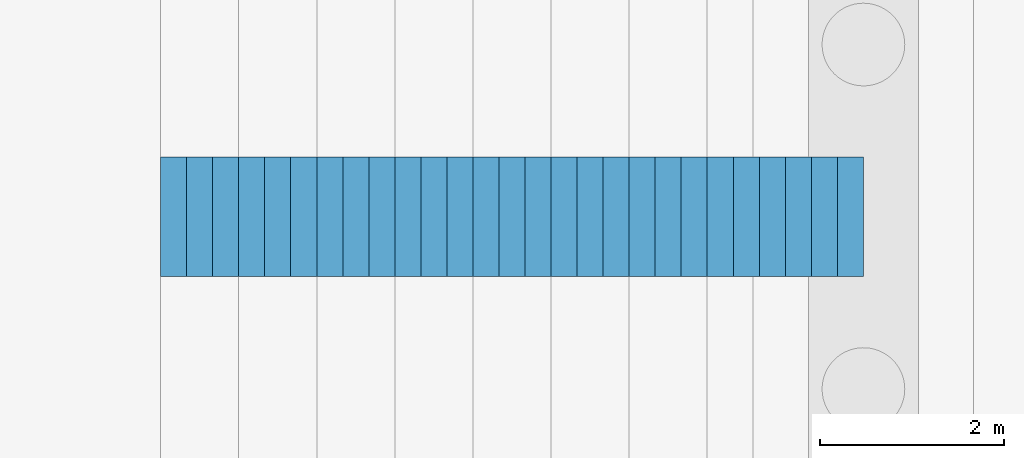
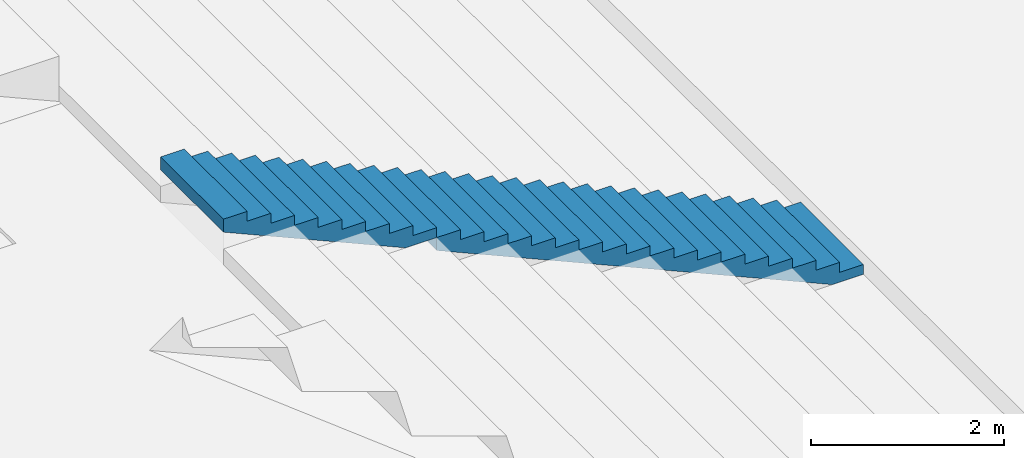
# One storey, part 64 of 115: 2 stair flights, 1 element without a shape of its own.
"""IFC4 building model written with IfcOpenShell, lengths in metres."""

from ifc_helpers import new_model, si_unit, direction, frame, origin, place, context, subcontext, project, spatial, faceted_brep, material, type_object, element, aggregate, save


model = new_model("IFC4")

# Units and contexts
model_context = context("Model", 3, precision=1e-05, world=origin(), true_north=direction((0.0, 1.0)))
body_context = subcontext(model_context, "Body", "Model", "MODEL_VIEW")
ifc_project = project(units=[si_unit("LENGTHUNIT", "METRE"), si_unit("AREAUNIT", "SQUARE_METRE"), si_unit("VOLUMEUNIT", "CUBIC_METRE"), si_unit("PLANEANGLEUNIT", "RADIAN"), si_unit("MASSUNIT", "GRAM", prefix="KILO")], contexts=[model_context])

# Site, building, storey
site_placement = place(None, origin())
site = spatial("IfcSite", under=ifc_project, at=site_placement, CompositionType="ELEMENT")
building_placement = place(site_placement, origin())
building = spatial("IfcBuilding", under=site, at=building_placement, Name="Ogive Plaza Stadium", CompositionType="ELEMENT")
storey_placement = place(building_placement, frame((0.0, 0.0, -4.5)))
storey = spatial("IfcBuildingStorey", under=building, at=storey_placement, Name="B1", CompositionType="ELEMENT", Elevation=-4.5)

# Stair, stair flights
ifc_material_1 = material(Name="Concrete C40/50", Category="concrete")
stair_type = type_object("IfcStairType", Name="Aisle stair", PredefinedType="STRAIGHT_RUN_STAIR", material=ifc_material_1)
stair_placement = place(storey_placement, origin())
stair = element("IfcStair", 1, at=stair_placement, inside=storey, type_object=stair_type, Name="Aisle stair SA21D", PredefinedType="STRAIGHT_RUN_STAIR")
ifc_material_2 = material(Name="Concrete C40/50", Category="concrete")
stair_flight_type = type_object("IfcStairFlightType", Name="Aisle stair flight", PredefinedType="STRAIGHT", material=ifc_material_2)
stair_flight_1_placement = place(storey_placement, frame((-41.5, -45.0, 1.125), z_axis=(0.0, 0.0, 1.0), x_axis=(-1.0, 0.0, 0.0)))
stair_flight_1 = element("IfcStairFlight", 2, at=stair_flight_1_placement, type_object=stair_flight_type, Name="SA21D flight 1", NumberOfRisers=18, NumberOfTreads=17, PredefinedType="STRAIGHT", RiserHeight=0.125, TreadLength=0.283333333, context=body_context, shape_type="Brep", body=[
    faceted_brep([(0.371337890625, -0.64990234375, 0.0), (5.10009765625, -0.64990234375, 2.086181640625), (5.10009765625, -0.64990234375, 2.25), (4.816650390625, -0.64990234375, 2.25), (4.816650390625, -0.64990234375, 2.125), (4.533447265625, -0.64990234375, 2.125), (4.533447265625, -0.64990234375, 2.0), (4.25, -0.64990234375, 2.0), (4.25, -0.64990234375, 1.875), (3.966552734375, -0.64990234375, 1.875), (3.966552734375, -0.64990234375, 1.75), (3.683349609375, -0.64990234375, 1.75), (3.683349609375, -0.64990234375, 1.625), (3.39990234375, -0.64990234375, 1.625), (3.39990234375, -0.64990234375, 1.5), (3.11669921875, -0.64990234375, 1.5), (3.11669921875, -0.64990234375, 1.375), (2.833251953125, -0.64990234375, 1.375), (2.833251953125, -0.64990234375, 1.25), (2.550048828125, -0.64990234375, 1.25), (2.550048828125, -0.64990234375, 1.125), (2.2666015625, -0.64990234375, 1.125), (2.2666015625, -0.64990234375, 1.0), (1.9833984375, -0.64990234375, 1.0), (1.9833984375, -0.64990234375, 0.875), (1.699951171875, -0.64990234375, 0.875), (1.699951171875, -0.64990234375, 0.75), (1.416748046875, -0.64990234375, 0.75), (1.416748046875, -0.64990234375, 0.625), (1.13330078125, -0.64990234375, 0.625), (1.13330078125, -0.64990234375, 0.5), (0.85009765625, -0.64990234375, 0.5), (0.85009765625, -0.64990234375, 0.375), (0.566650390625, -0.64990234375, 0.375), (0.566650390625, -0.64990234375, 0.25), (0.283447265625, -0.64990234375, 0.25), (0.283447265625, -0.64990234375, 0.125), (0.0, -0.64990234375, 0.125), (0.0, -0.64990234375, 0.0), (0.0, 0.64990234375, 0.0), (0.0, 0.64990234375, 0.125), (0.283447265625, 0.64990234375, 0.125), (0.283447265625, 0.64990234375, 0.25), (0.566650390625, 0.64990234375, 0.25), (0.566650390625, 0.64990234375, 0.375), (0.85009765625, 0.64990234375, 0.375), (0.85009765625, 0.64990234375, 0.5), (1.13330078125, 0.64990234375, 0.5), (1.13330078125, 0.64990234375, 0.625), (1.416748046875, 0.64990234375, 0.625), (1.416748046875, 0.64990234375, 0.75), (1.699951171875, 0.64990234375, 0.75), (1.699951171875, 0.64990234375, 0.875), (1.9833984375, 0.64990234375, 0.875), (1.9833984375, 0.64990234375, 1.0), (2.2666015625, 0.64990234375, 1.0), (2.2666015625, 0.64990234375, 1.125), (2.550048828125, 0.64990234375, 1.125), (2.550048828125, 0.64990234375, 1.25), (2.833251953125, 0.64990234375, 1.25), (2.833251953125, 0.64990234375, 1.375), (3.11669921875, 0.64990234375, 1.375), (3.11669921875, 0.64990234375, 1.5), (3.39990234375, 0.64990234375, 1.5), (3.39990234375, 0.64990234375, 1.625), (3.683349609375, 0.64990234375, 1.625), (3.683349609375, 0.64990234375, 1.75), (3.966552734375, 0.64990234375, 1.75), (3.966552734375, 0.64990234375, 1.875), (4.25, 0.64990234375, 1.875), (4.25, 0.64990234375, 2.0), (4.533447265625, 0.64990234375, 2.0), (4.533447265625, 0.64990234375, 2.125), (4.816650390625, 0.64990234375, 2.125), (4.816650390625, 0.64990234375, 2.25), (5.10009765625, 0.64990234375, 2.25), (5.10009765625, 0.64990234375, 2.086181640625), (0.371337890625, 0.64990234375, 0.0), (0.371337890625, -0.324951171875, 0.0), (5.10009765625, -0.324951171875, 2.086181640625), (0.371337890625, 0.0, 0.0), (5.10009765625, 0.0, 2.086181640625), (0.371337890625, 0.324951171875, 0.0), (5.10009765625, 0.324951171875, 2.086181640625), (5.10009765625, -0.324951171875, 2.25), (5.10009765625, 0.0, 2.25), (5.10009765625, 0.324951171875, 2.25), (4.816650390625, -0.324951171875, 2.25), (4.816650390625, 0.0, 2.25), (4.816650390625, 0.324951171875, 2.25), (4.816650390625, -0.324951171875, 2.125), (4.816650390625, 0.0, 2.125), (4.816650390625, 0.324951171875, 2.125), (4.533447265625, -0.324951171875, 2.125), (4.533447265625, 0.0, 2.125), (4.533447265625, 0.324951171875, 2.125), (4.533447265625, -0.324951171875, 2.0), (4.533447265625, 0.0, 2.0), (4.533447265625, 0.324951171875, 2.0), (4.25, -0.324951171875, 2.0), (4.25, 0.0, 2.0), (4.25, 0.324951171875, 2.0), (4.25, -0.324951171875, 1.875), (4.25, 0.0, 1.875), (4.25, 0.324951171875, 1.875), (3.966552734375, -0.324951171875, 1.875), (3.966552734375, 0.0, 1.875), (3.966552734375, 0.324951171875, 1.875), (3.966552734375, -0.324951171875, 1.75), (3.966552734375, 0.0, 1.75), (3.966552734375, 0.324951171875, 1.75), (3.683349609375, -0.324951171875, 1.75), (3.683349609375, 0.0, 1.75), (3.683349609375, 0.324951171875, 1.75), (3.683349609375, -0.324951171875, 1.625), (3.683349609375, 0.0, 1.625), (3.683349609375, 0.324951171875, 1.625), (3.39990234375, -0.324951171875, 1.625), (3.39990234375, 0.0, 1.625), (3.39990234375, 0.324951171875, 1.625), (3.39990234375, -0.324951171875, 1.5), (3.39990234375, 0.0, 1.5), (3.39990234375, 0.324951171875, 1.5), (3.11669921875, -0.324951171875, 1.5), (3.11669921875, 0.0, 1.5), (3.11669921875, 0.324951171875, 1.5), (3.11669921875, -0.324951171875, 1.375), (3.11669921875, 0.0, 1.375), (3.11669921875, 0.324951171875, 1.375), (2.833251953125, -0.324951171875, 1.375), (2.833251953125, 0.0, 1.375), (2.833251953125, 0.324951171875, 1.375), (2.833251953125, -0.324951171875, 1.25), (2.833251953125, 0.0, 1.25), (2.833251953125, 0.324951171875, 1.25), (2.550048828125, -0.324951171875, 1.25), (2.550048828125, 0.0, 1.25), (2.550048828125, 0.324951171875, 1.25), (2.550048828125, -0.324951171875, 1.125), (2.550048828125, 0.0, 1.125), (2.550048828125, 0.324951171875, 1.125), (2.2666015625, -0.324951171875, 1.125), (2.2666015625, 0.0, 1.125), (2.2666015625, 0.324951171875, 1.125), (2.2666015625, -0.324951171875, 1.0), (2.2666015625, 0.0, 1.0), (2.2666015625, 0.324951171875, 1.0), (1.9833984375, -0.324951171875, 1.0), (1.9833984375, 0.0, 1.0), (1.9833984375, 0.324951171875, 1.0), (1.9833984375, -0.324951171875, 0.875), (1.9833984375, 0.0, 0.875), (1.9833984375, 0.324951171875, 0.875), (1.699951171875, -0.324951171875, 0.875), (1.699951171875, 0.0, 0.875), (1.699951171875, 0.324951171875, 0.875), (1.699951171875, -0.324951171875, 0.75), (1.699951171875, 0.0, 0.75), (1.699951171875, 0.324951171875, 0.75), (1.416748046875, -0.324951171875, 0.75), (1.416748046875, 0.0, 0.75), (1.416748046875, 0.324951171875, 0.75), (1.416748046875, -0.324951171875, 0.625), (1.416748046875, 0.0, 0.625), (1.416748046875, 0.324951171875, 0.625), (1.13330078125, -0.324951171875, 0.625), (1.13330078125, 0.0, 0.625), (1.13330078125, 0.324951171875, 0.625), (1.13330078125, -0.324951171875, 0.5), (1.13330078125, 0.0, 0.5), (1.13330078125, 0.324951171875, 0.5), (0.85009765625, -0.324951171875, 0.5), (0.85009765625, 0.0, 0.5), (0.85009765625, 0.324951171875, 0.5), (0.85009765625, -0.324951171875, 0.375), (0.85009765625, 0.0, 0.375), (0.85009765625, 0.324951171875, 0.375), (0.566650390625, -0.324951171875, 0.375), (0.566650390625, 0.0, 0.375), (0.566650390625, 0.324951171875, 0.375), (0.566650390625, -0.324951171875, 0.25), (0.566650390625, 0.0, 0.25), (0.566650390625, 0.324951171875, 0.25), (0.283447265625, -0.324951171875, 0.25), (0.283447265625, 0.0, 0.25), (0.283447265625, 0.324951171875, 0.25), (0.283447265625, -0.324951171875, 0.125), (0.283447265625, 0.0, 0.125), (0.283447265625, 0.324951171875, 0.125), (0.0, -0.324951171875, 0.125), (0.0, 0.0, 0.125), (0.0, 0.324951171875, 0.125), (0.0, -0.324951171875, 0.0), (0.0, 0.0, 0.0), (0.0, 0.324951171875, 0.0)], [[[0, 1, 2, 3, 4, 5, 6, 7, 8, 9, 10, 11, 12, 13, 14, 15, 16, 17, 18, 19, 20, 21, 22, 23, 24, 25, 26, 27, 28, 29, 30, 31, 32, 33, 34, 35, 36, 37, 38]], [[39, 40, 41, 42, 43, 44, 45, 46, 47, 48, 49, 50, 51, 52, 53, 54, 55, 56, 57, 58, 59, 60, 61, 62, 63, 64, 65, 66, 67, 68, 69, 70, 71, 72, 73, 74, 75, 76, 77]], [[0, 78, 79, 1]], [[78, 80, 81, 79]], [[80, 82, 83, 81]], [[82, 77, 76, 83]], [[1, 79, 84, 2]], [[79, 81, 85, 84]], [[81, 83, 86, 85]], [[83, 76, 75, 86]], [[2, 84, 87, 3]], [[84, 85, 88, 87]], [[85, 86, 89, 88]], [[86, 75, 74, 89]], [[3, 87, 90, 4]], [[87, 88, 91, 90]], [[88, 89, 92, 91]], [[89, 74, 73, 92]], [[4, 90, 93, 5]], [[90, 91, 94, 93]], [[91, 92, 95, 94]], [[92, 73, 72, 95]], [[5, 93, 96, 6]], [[93, 94, 97, 96]], [[94, 95, 98, 97]], [[95, 72, 71, 98]], [[6, 96, 99, 7]], [[96, 97, 100, 99]], [[97, 98, 101, 100]], [[98, 71, 70, 101]], [[7, 99, 102, 8]], [[99, 100, 103, 102]], [[100, 101, 104, 103]], [[101, 70, 69, 104]], [[8, 102, 105, 9]], [[102, 103, 106, 105]], [[103, 104, 107, 106]], [[104, 69, 68, 107]], [[9, 105, 108, 10]], [[105, 106, 109, 108]], [[106, 107, 110, 109]], [[107, 68, 67, 110]], [[10, 108, 111, 11]], [[108, 109, 112, 111]], [[109, 110, 113, 112]], [[110, 67, 66, 113]], [[11, 111, 114, 12]], [[111, 112, 115, 114]], [[112, 113, 116, 115]], [[113, 66, 65, 116]], [[12, 114, 117, 13]], [[114, 115, 118, 117]], [[115, 116, 119, 118]], [[116, 65, 64, 119]], [[13, 117, 120, 14]], [[117, 118, 121, 120]], [[118, 119, 122, 121]], [[119, 64, 63, 122]], [[14, 120, 123, 15]], [[120, 121, 124, 123]], [[121, 122, 125, 124]], [[122, 63, 62, 125]], [[15, 123, 126, 16]], [[123, 124, 127, 126]], [[124, 125, 128, 127]], [[125, 62, 61, 128]], [[16, 126, 129, 17]], [[126, 127, 130, 129]], [[127, 128, 131, 130]], [[128, 61, 60, 131]], [[17, 129, 132, 18]], [[129, 130, 133, 132]], [[130, 131, 134, 133]], [[131, 60, 59, 134]], [[18, 132, 135, 19]], [[132, 133, 136, 135]], [[133, 134, 137, 136]], [[134, 59, 58, 137]], [[19, 135, 138, 20]], [[135, 136, 139, 138]], [[136, 137, 140, 139]], [[137, 58, 57, 140]], [[20, 138, 141, 21]], [[138, 139, 142, 141]], [[139, 140, 143, 142]], [[140, 57, 56, 143]], [[21, 141, 144, 22]], [[141, 142, 145, 144]], [[142, 143, 146, 145]], [[143, 56, 55, 146]], [[22, 144, 147, 23]], [[144, 145, 148, 147]], [[145, 146, 149, 148]], [[146, 55, 54, 149]], [[23, 147, 150, 24]], [[147, 148, 151, 150]], [[148, 149, 152, 151]], [[149, 54, 53, 152]], [[24, 150, 153, 25]], [[150, 151, 154, 153]], [[151, 152, 155, 154]], [[152, 53, 52, 155]], [[25, 153, 156, 26]], [[153, 154, 157, 156]], [[154, 155, 158, 157]], [[155, 52, 51, 158]], [[26, 156, 159, 27]], [[156, 157, 160, 159]], [[157, 158, 161, 160]], [[158, 51, 50, 161]], [[27, 159, 162, 28]], [[159, 160, 163, 162]], [[160, 161, 164, 163]], [[161, 50, 49, 164]], [[28, 162, 165, 29]], [[162, 163, 166, 165]], [[163, 164, 167, 166]], [[164, 49, 48, 167]], [[29, 165, 168, 30]], [[165, 166, 169, 168]], [[166, 167, 170, 169]], [[167, 48, 47, 170]], [[30, 168, 171, 31]], [[168, 169, 172, 171]], [[169, 170, 173, 172]], [[170, 47, 46, 173]], [[31, 171, 174, 32]], [[171, 172, 175, 174]], [[172, 173, 176, 175]], [[173, 46, 45, 176]], [[32, 174, 177, 33]], [[174, 175, 178, 177]], [[175, 176, 179, 178]], [[176, 45, 44, 179]], [[33, 177, 180, 34]], [[177, 178, 181, 180]], [[178, 179, 182, 181]], [[179, 44, 43, 182]], [[34, 180, 183, 35]], [[180, 181, 184, 183]], [[181, 182, 185, 184]], [[182, 43, 42, 185]], [[35, 183, 186, 36]], [[183, 184, 187, 186]], [[184, 185, 188, 187]], [[185, 42, 41, 188]], [[36, 186, 189, 37]], [[186, 187, 190, 189]], [[187, 188, 191, 190]], [[188, 41, 40, 191]], [[37, 189, 192, 38]], [[189, 190, 193, 192]], [[190, 191, 194, 193]], [[191, 40, 39, 194]], [[38, 192, 78, 0]], [[192, 193, 80, 78]], [[193, 194, 82, 80]], [[194, 39, 77, 82]]]),
])
stair_flight_2_placement = place(storey_placement, frame((-46.60009765625, -45.0, 3.375), z_axis=(0.0, 0.0, 1.0), x_axis=(-1.0, 0.0, 0.0)))
stair_flight_2 = element("IfcStairFlight", 3, at=stair_flight_2_placement, type_object=stair_flight_type, Name="SA21D flight 2", NumberOfRisers=9, NumberOfTreads=8, PredefinedType="STRAIGHT", RiserHeight=0.125, TreadLength=0.283333333, context=body_context, shape_type="Brep", body=[
    faceted_brep([(0.371337890625, -0.64990234375, 0.0), (2.550048828125, -0.64990234375, 0.961181640625), (2.550048828125, -0.64990234375, 1.125), (2.2666015625, -0.64990234375, 1.125), (2.2666015625, -0.64990234375, 1.0), (1.9833984375, -0.64990234375, 1.0), (1.9833984375, -0.64990234375, 0.875), (1.699951171875, -0.64990234375, 0.875), (1.699951171875, -0.64990234375, 0.75), (1.416748046875, -0.64990234375, 0.75), (1.416748046875, -0.64990234375, 0.625), (1.13330078125, -0.64990234375, 0.625), (1.13330078125, -0.64990234375, 0.5), (0.85009765625, -0.64990234375, 0.5), (0.85009765625, -0.64990234375, 0.375), (0.566650390625, -0.64990234375, 0.375), (0.566650390625, -0.64990234375, 0.25), (0.283447265625, -0.64990234375, 0.25), (0.283447265625, -0.64990234375, 0.125), (0.0, -0.64990234375, 0.125), (0.0, -0.64990234375, 0.0), (0.0, 0.64990234375, 0.0), (0.0, 0.64990234375, 0.125), (0.283447265625, 0.64990234375, 0.125), (0.283447265625, 0.64990234375, 0.25), (0.566650390625, 0.64990234375, 0.25), (0.566650390625, 0.64990234375, 0.375), (0.85009765625, 0.64990234375, 0.375), (0.85009765625, 0.64990234375, 0.5), (1.13330078125, 0.64990234375, 0.5), (1.13330078125, 0.64990234375, 0.625), (1.416748046875, 0.64990234375, 0.625), (1.416748046875, 0.64990234375, 0.75), (1.699951171875, 0.64990234375, 0.75), (1.699951171875, 0.64990234375, 0.875), (1.9833984375, 0.64990234375, 0.875), (1.9833984375, 0.64990234375, 1.0), (2.2666015625, 0.64990234375, 1.0), (2.2666015625, 0.64990234375, 1.125), (2.550048828125, 0.64990234375, 1.125), (2.550048828125, 0.64990234375, 0.961181640625), (0.371337890625, 0.64990234375, 0.0), (0.371337890625, -0.324951171875, 0.0), (2.550048828125, -0.324951171875, 0.961181640625), (0.371337890625, 0.0, 0.0), (2.550048828125, 0.0, 0.961181640625), (0.371337890625, 0.324951171875, 0.0), (2.550048828125, 0.324951171875, 0.961181640625), (2.550048828125, -0.324951171875, 1.125), (2.550048828125, 0.0, 1.125), (2.550048828125, 0.324951171875, 1.125), (2.2666015625, -0.324951171875, 1.125), (2.2666015625, 0.0, 1.125), (2.2666015625, 0.324951171875, 1.125), (2.2666015625, -0.324951171875, 1.0), (2.2666015625, 0.0, 1.0), (2.2666015625, 0.324951171875, 1.0), (1.9833984375, -0.324951171875, 1.0), (1.9833984375, 0.0, 1.0), (1.9833984375, 0.324951171875, 1.0), (1.9833984375, -0.324951171875, 0.875), (1.9833984375, 0.0, 0.875), (1.9833984375, 0.324951171875, 0.875), (1.699951171875, -0.324951171875, 0.875), (1.699951171875, 0.0, 0.875), (1.699951171875, 0.324951171875, 0.875), (1.699951171875, -0.324951171875, 0.75), (1.699951171875, 0.0, 0.75), (1.699951171875, 0.324951171875, 0.75), (1.416748046875, -0.324951171875, 0.75), (1.416748046875, 0.0, 0.75), (1.416748046875, 0.324951171875, 0.75), (1.416748046875, -0.324951171875, 0.625), (1.416748046875, 0.0, 0.625), (1.416748046875, 0.324951171875, 0.625), (1.13330078125, -0.324951171875, 0.625), (1.13330078125, 0.0, 0.625), (1.13330078125, 0.324951171875, 0.625), (1.13330078125, -0.324951171875, 0.5), (1.13330078125, 0.0, 0.5), (1.13330078125, 0.324951171875, 0.5), (0.85009765625, -0.324951171875, 0.5), (0.85009765625, 0.0, 0.5), (0.85009765625, 0.324951171875, 0.5), (0.85009765625, -0.324951171875, 0.375), (0.85009765625, 0.0, 0.375), (0.85009765625, 0.324951171875, 0.375), (0.566650390625, -0.324951171875, 0.375), (0.566650390625, 0.0, 0.375), (0.566650390625, 0.324951171875, 0.375), (0.566650390625, -0.324951171875, 0.25), (0.566650390625, 0.0, 0.25), (0.566650390625, 0.324951171875, 0.25), (0.283447265625, -0.324951171875, 0.25), (0.283447265625, 0.0, 0.25), (0.283447265625, 0.324951171875, 0.25), (0.283447265625, -0.324951171875, 0.125), (0.283447265625, 0.0, 0.125), (0.283447265625, 0.324951171875, 0.125), (0.0, -0.324951171875, 0.125), (0.0, 0.0, 0.125), (0.0, 0.324951171875, 0.125), (0.0, -0.324951171875, 0.0), (0.0, 0.0, 0.0), (0.0, 0.324951171875, 0.0)], [[[0, 1, 2, 3, 4, 5, 6, 7, 8, 9, 10, 11, 12, 13, 14, 15, 16, 17, 18, 19, 20]], [[21, 22, 23, 24, 25, 26, 27, 28, 29, 30, 31, 32, 33, 34, 35, 36, 37, 38, 39, 40, 41]], [[0, 42, 43, 1]], [[42, 44, 45, 43]], [[44, 46, 47, 45]], [[46, 41, 40, 47]], [[1, 43, 48, 2]], [[43, 45, 49, 48]], [[45, 47, 50, 49]], [[47, 40, 39, 50]], [[2, 48, 51, 3]], [[48, 49, 52, 51]], [[49, 50, 53, 52]], [[50, 39, 38, 53]], [[3, 51, 54, 4]], [[51, 52, 55, 54]], [[52, 53, 56, 55]], [[53, 38, 37, 56]], [[4, 54, 57, 5]], [[54, 55, 58, 57]], [[55, 56, 59, 58]], [[56, 37, 36, 59]], [[5, 57, 60, 6]], [[57, 58, 61, 60]], [[58, 59, 62, 61]], [[59, 36, 35, 62]], [[6, 60, 63, 7]], [[60, 61, 64, 63]], [[61, 62, 65, 64]], [[62, 35, 34, 65]], [[7, 63, 66, 8]], [[63, 64, 67, 66]], [[64, 65, 68, 67]], [[65, 34, 33, 68]], [[8, 66, 69, 9]], [[66, 67, 70, 69]], [[67, 68, 71, 70]], [[68, 33, 32, 71]], [[9, 69, 72, 10]], [[69, 70, 73, 72]], [[70, 71, 74, 73]], [[71, 32, 31, 74]], [[10, 72, 75, 11]], [[72, 73, 76, 75]], [[73, 74, 77, 76]], [[74, 31, 30, 77]], [[11, 75, 78, 12]], [[75, 76, 79, 78]], [[76, 77, 80, 79]], [[77, 30, 29, 80]], [[12, 78, 81, 13]], [[78, 79, 82, 81]], [[79, 80, 83, 82]], [[80, 29, 28, 83]], [[13, 81, 84, 14]], [[81, 82, 85, 84]], [[82, 83, 86, 85]], [[83, 28, 27, 86]], [[14, 84, 87, 15]], [[84, 85, 88, 87]], [[85, 86, 89, 88]], [[86, 27, 26, 89]], [[15, 87, 90, 16]], [[87, 88, 91, 90]], [[88, 89, 92, 91]], [[89, 26, 25, 92]], [[16, 90, 93, 17]], [[90, 91, 94, 93]], [[91, 92, 95, 94]], [[92, 25, 24, 95]], [[17, 93, 96, 18]], [[93, 94, 97, 96]], [[94, 95, 98, 97]], [[95, 24, 23, 98]], [[18, 96, 99, 19]], [[96, 97, 100, 99]], [[97, 98, 101, 100]], [[98, 23, 22, 101]], [[19, 99, 102, 20]], [[99, 100, 103, 102]], [[100, 101, 104, 103]], [[101, 22, 21, 104]], [[20, 102, 42, 0]], [[102, 103, 44, 42]], [[103, 104, 46, 44]], [[104, 21, 41, 46]]]),
])
aggregate(stair, [stair_flight_1, stair_flight_2])

save(model, "model.ifc")
